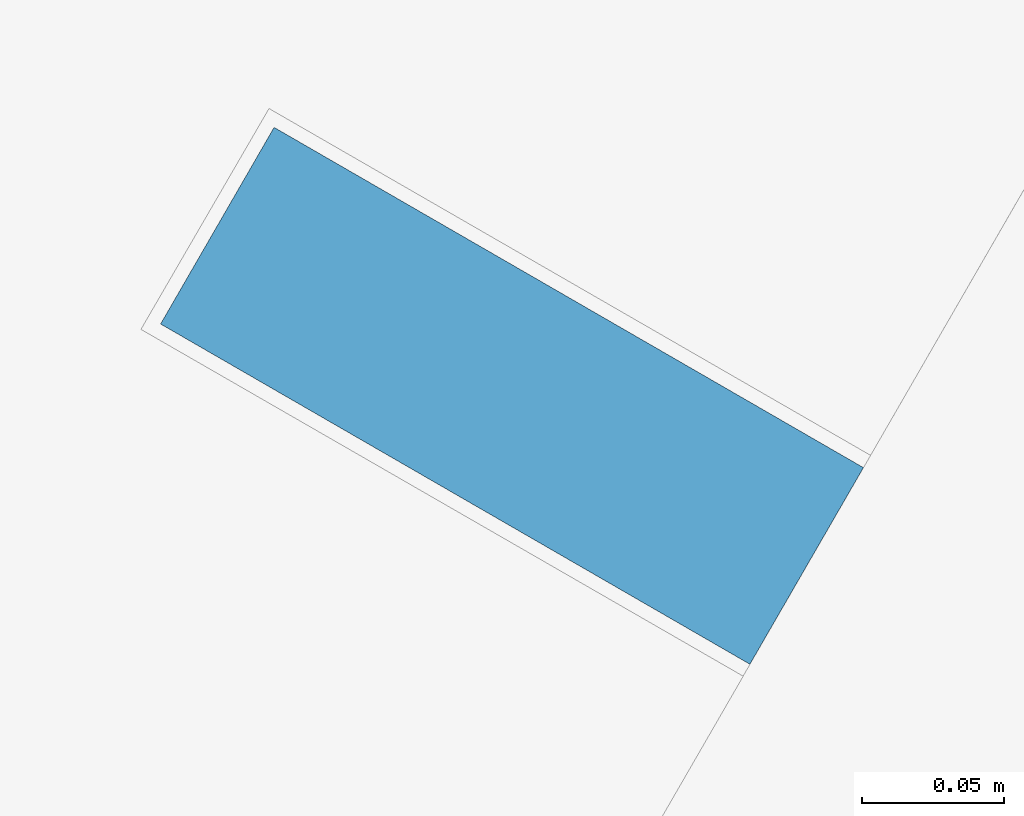
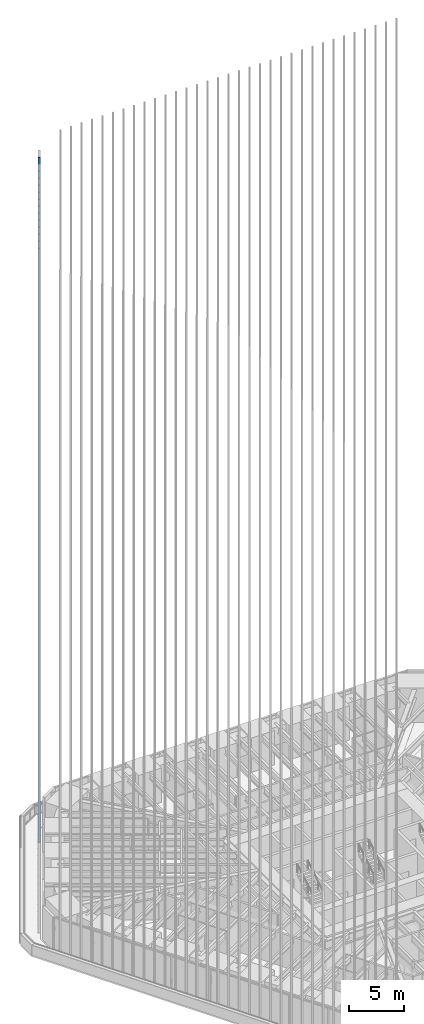
# One storey, part 145 of 238: 1 member, 1 element without a shape of its own.
"""IFC4 building model written with IfcOpenShell, lengths in metres."""

from ifc_helpers import new_model, si_unit, direction, frame, origin, origin_2d, place, context, subcontext, project, spatial, rectangle, extrude, material, material_profile, profile_set, type_object, element, aggregate, save


model = new_model("IFC4")

# Units and contexts
model_context = context("Model", 3, precision=1e-05, world=origin(), true_north=direction((0.0, 1.0)))
body_context = subcontext(model_context, "Body", "Model", "MODEL_VIEW")
ifc_project = project(units=[si_unit("LENGTHUNIT", "METRE"), si_unit("AREAUNIT", "SQUARE_METRE"), si_unit("VOLUMEUNIT", "CUBIC_METRE"), si_unit("PLANEANGLEUNIT", "RADIAN"), si_unit("MASSUNIT", "GRAM", prefix="KILO")], contexts=[model_context])

# Site, building, storey
site_placement = place(None, origin())
site = spatial("IfcSite", under=ifc_project, at=site_placement, CompositionType="ELEMENT")
building_placement = place(site_placement, origin())
building = spatial("IfcBuilding", under=site, at=building_placement, Name="Sandreach Pilgrim Tower", CompositionType="ELEMENT")
storey_placement = place(building_placement, frame((0.0, 0.0, 96.800048828125)))
storey = spatial("IfcBuildingStorey", under=building, at=storey_placement, Name="L23", CompositionType="ELEMENT", Elevation=96.800048828125)

# Curtain wall, member
ifc_material_1 = material(Name="Aluminium framed curtain wall", Category="aluminium")
curtain_wall_type = type_object("IfcCurtainWallType", Name="Hotel tower curtain wall", PredefinedType="NOTDEFINED", material=ifc_material_1)
curtain_wall_placement = place(storey_placement, origin())
curtain_wall = element("IfcCurtainWall", 1, at=curtain_wall_placement, inside=storey, type_object=curtain_wall_type, Name="CW-2 L23 NW", PredefinedType="NOTDEFINED")
ifc_material_2 = material(Name="Extruded terracotta on aluminium core", Category="masonry")
ifc_material_profile = material_profile(ifc_material_2, rectangle(XDim=0.080078125, YDim=0.239990234375, at=origin_2d()), Name="TBW 80X240")
ifc_profile_set = profile_set([ifc_material_profile], Name="Extruded terracotta on aluminium core")
member_type = type_object("IfcMemberType", Name="Terracotta baguette west", PredefinedType="USERDEFINED", material=ifc_profile_set)
member_placement = place(storey_placement, frame((-21.458740234375, 20.056884765625, 0.0), z_axis=(0.0, 0.0, 1.0), x_axis=(0.5, 0.866025403784, 0.0)))
member = element("IfcMember", 2, at=member_placement, type_object=member_type, Name="Baguette Z2 NW14", ObjectType="BAGUETTE", PredefinedType="USERDEFINED", context=body_context, shape_type="SweptSolid", body=[
    extrude(rectangle(XDim=0.080078125, YDim=0.239990234375, at=origin_2d()), origin(), (0.0, 0.0, 1.0), 75.83984375),
])
aggregate(curtain_wall, [member])

save(model, "model.ifc")
